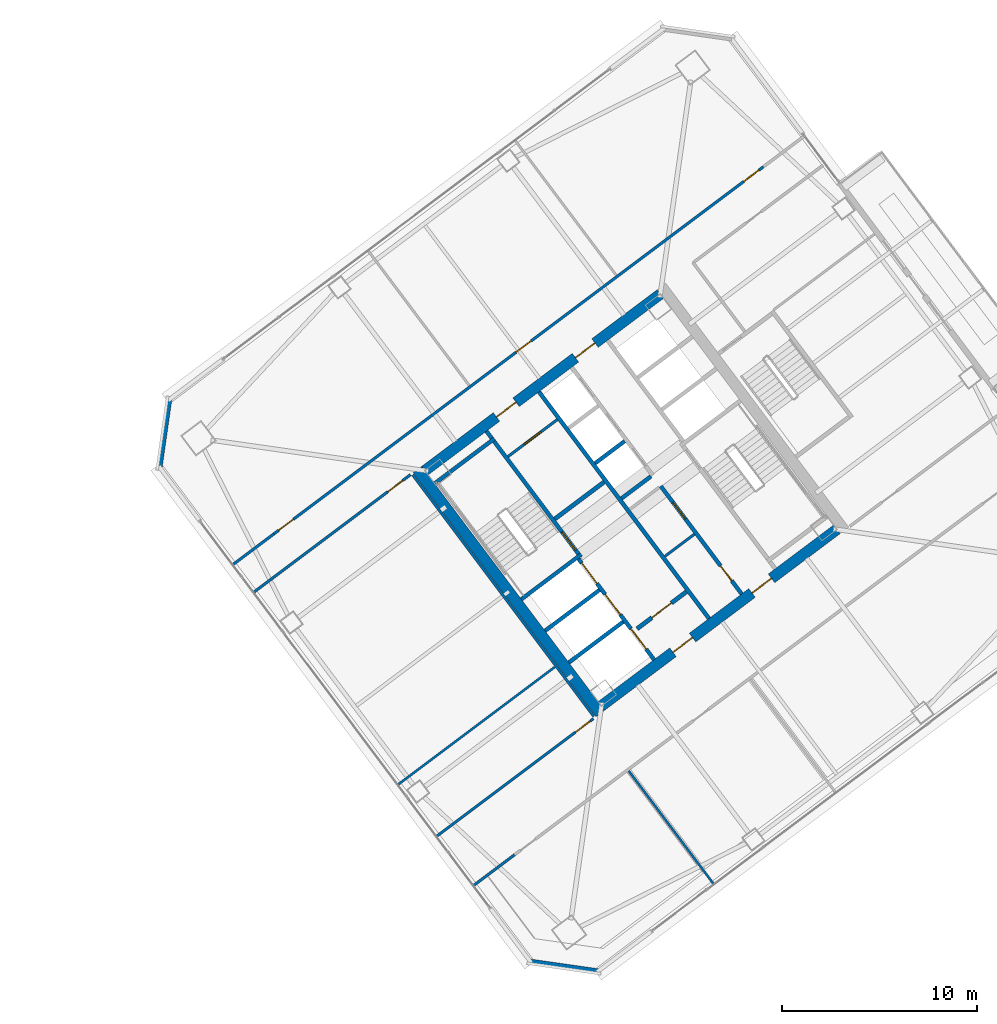
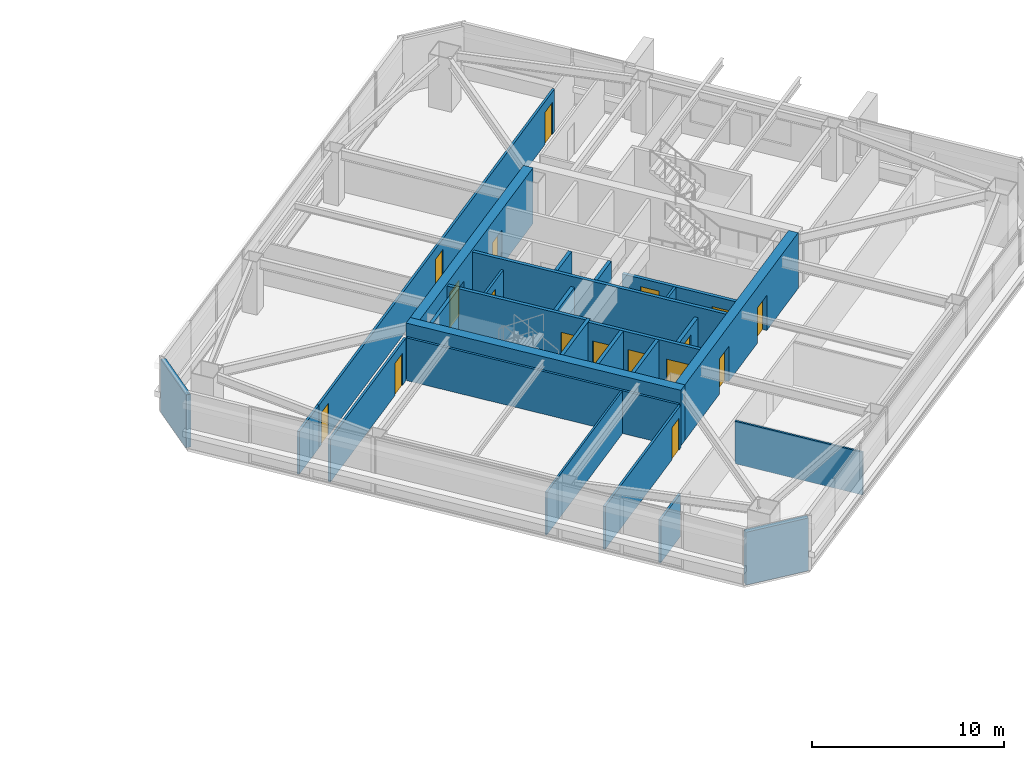
# One storey, part 36 of 44: 27 walls, 17 doors, 17 openings.
"""IFC4 building model written with IfcOpenShell, lengths in metres."""

from ifc_helpers import new_model, si_unit, direction, frame, frame_2d, origin, place, context, subcontext, project, spatial, rectangle, extrude, material, layer, layer_set, type_object, element, fill, save


model = new_model("IFC4")

# Units and contexts
model_context = context("Model", 3, precision=1e-05, world=origin(), true_north=direction((0.0, 1.0)))
body_context = subcontext(model_context, "Body", "Model", "MODEL_VIEW")
ifc_project = project(units=[si_unit("LENGTHUNIT", "METRE"), si_unit("AREAUNIT", "SQUARE_METRE"), si_unit("VOLUMEUNIT", "CUBIC_METRE"), si_unit("PLANEANGLEUNIT", "RADIAN"), si_unit("MASSUNIT", "GRAM", prefix="KILO")], contexts=[model_context])

# Site, building, storey
site_placement = place(None, origin())
site = spatial("IfcSite", under=ifc_project, at=site_placement, CompositionType="ELEMENT")
building_placement = place(site_placement, origin())
building = spatial("IfcBuilding", under=site, at=building_placement, Name="Tashvorn Skyway Center", CompositionType="ELEMENT")
storey_placement = place(building_placement, frame((0.0, 0.0, 149.89990234375)))
storey = spatial("IfcBuildingStorey", under=building, at=storey_placement, Name="L40", CompositionType="ELEMENT", Elevation=149.89990234375)

# Wall
ifc_material_1 = material(Name="Concrete C60/75", Category="concrete")
ifc_layer_1 = layer(ifc_material_1, 0.550048828125)
ifc_layer_set_1 = layer_set([ifc_layer_1], Name="Concrete C60/75")
wall_type_1 = type_object("IfcWallType", Name="WALL-CORE-550", PredefinedType="SHEAR", material=ifc_layer_set_1)
wall_1_placement = place(storey_placement, frame((112.43603515625, 21.076904296875, 0.0), z_axis=(0.0, 0.0, 1.0), x_axis=(-0.600005007985, 0.799996243986, 0.0)))
element("IfcWall", 1, at=wall_1_placement, inside=storey, type_object=wall_type_1, Name="Tower 2 L40 West Core Shear Wall", PredefinedType="SHEAR", context=body_context, shape_type="SweptSolid", body=[
    extrude(rectangle(XDim=15.60009765625, YDim=0.550048828125, at=frame_2d((7.800048828125, 0.0))), origin(), (0.0, 0.0, 1.0), 3.550048828125),
])

# Wall, openings, doors
wall_2_placement = place(storey_placement, frame((124.5390625, 30.498046875, 0.0), z_axis=(0.0, 0.0, 1.0), x_axis=(-0.799998054672, -0.600002593761, 0.0)))
wall_2 = element("IfcWall", 2, at=wall_2_placement, inside=storey, type_object=wall_type_1, Name="Tower 2 L40 South Core Shear Wall", PredefinedType="SHEAR", context=body_context, shape_type="SweptSolid", body=[
    extrude(rectangle(XDim=15.06005859375, YDim=0.550048828125, at=frame_2d((7.530029296875, 0.0))), origin(), (0.0, 0.0, 1.0), 3.550048828125),
])
opening_1_placement = place(wall_2_placement, frame((9.22998046875, 0.0, 0.0)))
opening_1 = element("IfcOpeningElement", 3, at=opening_1_placement, cuts=wall_2, Name="Opening D-FFL-1250", PredefinedType="OPENING", context=body_context, shape_type="SweptSolid", body=[
    extrude(rectangle(XDim=1.25, YDim=2.25, at=frame_2d((0.625, 1.125))), frame((0.0, 0.284912109375, 0.0), z_axis=(0.0, -1.0, 0.0), x_axis=(1.0, 0.0, 0.0)), (0.0, 0.0, 1.0), 0.570068359375),
])
opening_2_placement = place(wall_2_placement, frame((4.179931640625, 0.0, 0.0)))
opening_2 = element("IfcOpeningElement", 4, at=opening_2_placement, cuts=wall_2, Name="Opening D-FFL-1250", PredefinedType="OPENING", context=body_context, shape_type="SweptSolid", body=[
    extrude(rectangle(XDim=1.25, YDim=2.25, at=frame_2d((0.625, 1.125))), frame((0.0, 0.284912109375, 0.0), z_axis=(0.0, -1.0, 0.0), x_axis=(1.0, 0.0, 0.0)), (0.0, 0.0, 1.0), 0.570068359375),
])
ifc_material_2 = material(Name="Hollow galvanized steel fire door assembly", Category="steel")
door_type_1 = type_object("IfcDoorType", Name="DOOR-FFL-1250", OperationType="NOTDEFINED", PredefinedType="DOOR", material=ifc_material_2)
door_1_placement = place(opening_1_placement, origin())
door_1 = element("IfcDoor", 5, at=door_1_placement, inside=storey, type_object=door_type_1, Name="Tower 2 L40 Core South Firefighting Exit Door", OperationType="SINGLE_SWING_LEFT", OverallHeight=2.25, OverallWidth=1.25, PredefinedType="DOOR", context=body_context, shape_type="SweptSolid", body=[
    extrude(rectangle(XDim=1.25, YDim=2.25, at=frame_2d((0.625, 1.125))), frame((0.0, 0.02490234375, 0.0), z_axis=(0.0, -1.0, 0.0), x_axis=(1.0, 0.0, 0.0)), (0.0, 0.0, 1.0), 0.050048828125),
])
fill(opening_1, door_1)
door_2_placement = place(opening_2_placement, origin())
door_2 = element("IfcDoor", 6, at=door_2_placement, inside=storey, type_object=door_type_1, Name="Tower 2 L40 Core South Lift Lobby Door", OperationType="SINGLE_SWING_RIGHT", OverallHeight=2.25, OverallWidth=1.25, PredefinedType="DOOR", context=body_context, shape_type="SweptSolid", body=[
    extrude(rectangle(XDim=1.25, YDim=2.25, at=frame_2d((0.625, 1.125))), frame((0.0, 0.02490234375, 0.0), z_axis=(0.0, -1.0, 0.0), x_axis=(1.0, 0.0, 0.0)), (0.0, 0.0, 1.0), 0.050048828125),
])
fill(opening_2, door_2)

wall_3_placement = place(storey_placement, frame((103.4609375, 33.501953125, 0.0), z_axis=(0.0, 0.0, 1.0), x_axis=(0.799998054672, 0.600002593761, 0.0)))
wall_3 = element("IfcWall", 7, at=wall_3_placement, inside=storey, type_object=wall_type_1, Name="Tower 2 L40 North Core Shear Wall", PredefinedType="SHEAR", context=body_context, shape_type="SweptSolid", body=[
    extrude(rectangle(XDim=15.06005859375, YDim=0.550048828125, at=frame_2d((7.530029296875, 0.0))), origin(), (0.0, 0.0, 1.0), 3.550048828125),
])
opening_3_placement = place(wall_3_placement, frame((4.580078125, 0.0, 0.0)))
opening_3 = element("IfcOpeningElement", 8, at=opening_3_placement, cuts=wall_3, Name="Opening D-FFL-1250", PredefinedType="OPENING", context=body_context, shape_type="SweptSolid", body=[
    extrude(rectangle(XDim=1.25, YDim=2.25, at=frame_2d((0.625, 1.125))), frame((0.0, 0.284912109375, 0.0), z_axis=(0.0, -1.0, 0.0), x_axis=(1.0, 0.0, 0.0)), (0.0, 0.0, 1.0), 0.570068359375),
])
opening_4_placement = place(wall_3_placement, frame((9.6298828125, 0.0, 0.0)))
opening_4 = element("IfcOpeningElement", 9, at=opening_4_placement, cuts=wall_3, Name="Opening D-FFL-1250", PredefinedType="OPENING", context=body_context, shape_type="SweptSolid", body=[
    extrude(rectangle(XDim=1.25, YDim=2.25, at=frame_2d((0.625, 1.125))), frame((0.0, 0.284912109375, 0.0), z_axis=(0.0, -1.0, 0.0), x_axis=(1.0, 0.0, 0.0)), (0.0, 0.0, 1.0), 0.570068359375),
])
door_3_placement = place(opening_3_placement, origin())
door_3 = element("IfcDoor", 10, at=door_3_placement, inside=storey, type_object=door_type_1, Name="Tower 2 L40 Core North Service Lobby Door", OperationType="SINGLE_SWING_LEFT", OverallHeight=2.25, OverallWidth=1.25, PredefinedType="DOOR", context=body_context, shape_type="SweptSolid", body=[
    extrude(rectangle(XDim=1.25, YDim=2.25, at=frame_2d((0.625, 1.125))), frame((0.0, 0.02490234375, 0.0), z_axis=(0.0, -1.0, 0.0), x_axis=(1.0, 0.0, 0.0)), (0.0, 0.0, 1.0), 0.050048828125),
])
fill(opening_3, door_3)
door_4_placement = place(opening_4_placement, origin())
door_4 = element("IfcDoor", 11, at=door_4_placement, inside=storey, type_object=door_type_1, Name="Tower 2 L40 Core North Lift Lobby Door", OperationType="SINGLE_SWING_RIGHT", OverallHeight=2.25, OverallWidth=1.25, PredefinedType="DOOR", context=body_context, shape_type="SweptSolid", body=[
    extrude(rectangle(XDim=1.25, YDim=2.25, at=frame_2d((0.625, 1.125))), frame((0.0, 0.02490234375, 0.0), z_axis=(0.0, -1.0, 0.0), x_axis=(1.0, 0.0, 0.0)), (0.0, 0.0, 1.0), 0.050048828125),
])
fill(opening_4, door_4)

# Walls
ifc_material_3 = material(Name="Precast concrete C40/50", Category="concrete")
ifc_layer_2 = layer(ifc_material_3, 0.280029296875)
ifc_layer_set_2 = layer_set([ifc_layer_2], Name="Precast concrete C40/50")
wall_type_2 = type_object("IfcWallType", Name="WALL-EXT-280", PredefinedType="SOLIDWALL", material=ifc_layer_set_2)
for number, where, z_axis, x_axis, name in (
    (12, (112.340087890625, 7.8798828125, 0.0), (0.0, 0.0, 1.0), (-0.989949493661, 0.141421356237, 0.0), "Tower 2 L40 SW Precast Chamfer Wall"),
    (13, (89.8798828125, 33.659912109375, 0.0), (0.0, 0.0, 1.0), (0.141421356237, 0.989949493661, 0.0), "Tower 2 L40 NW Precast Chamfer Wall"),
):
    element("IfcWall", number, at=place(storey_placement, frame(where, z_axis=z_axis, x_axis=x_axis)), inside=storey, type_object=wall_type_2, Name=name, PredefinedType="SOLIDWALL", context=body_context, shape_type="SweptSolid", body=[
        extrude(rectangle(XDim=3.53564453125, YDim=0.280029296875, at=frame_2d((1.767822265625, 0.0))), origin(), (0.0, 0.0, 1.0), 3.3701171875),
    ])
ifc_material_4 = material(Name="Concrete C40/50", Category="concrete")
ifc_layer_3 = layer(ifc_material_4, 0.219970703125)
ifc_layer_set_3 = layer_set([ifc_layer_3], Name="Concrete C40/50")
wall_type_3 = type_object("IfcWallType", Name="WALL-FFL-220", PredefinedType="SOLIDWALL", material=ifc_layer_set_3)
wall_4_placement = place(storey_placement, frame((110.10400390625, 31.028076171875, 0.0), z_axis=(0.0, 0.0, 1.0), x_axis=(0.800018601094, 0.59997519774, 0.0)))
element("IfcWall", 14, at=wall_4_placement, inside=storey, type_object=wall_type_3, Name="Tower 2 L40 Firefighting Lobby North Wall", PredefinedType="SOLIDWALL", context=body_context, shape_type="SweptSolid", body=[
    extrude(rectangle(XDim=3.14990234375, YDim=0.219970703125, at=frame_2d((1.574951171875, 0.0))), origin(), (0.0, 0.0, 1.0), 2.72314453125),
])

# Wall, opening, door
wall_5_placement = place(storey_placement, frame((114.31591796875, 25.412109375, 0.0), z_axis=(0.0, 0.0, 1.0), x_axis=(0.800018601094, 0.59997519774, 0.0)))
wall_5 = element("IfcWall", 15, at=wall_5_placement, inside=storey, type_object=wall_type_3, Name="Tower 2 L40 Firefighting Lobby South Wall", PredefinedType="SOLIDWALL", context=body_context, shape_type="SweptSolid", body=[
    extrude(rectangle(XDim=3.14990234375, YDim=0.219970703125, at=frame_2d((1.574951171875, 0.0))), origin(), (0.0, 0.0, 1.0), 2.72314453125),
])
opening_5_placement = place(wall_5_placement, frame((0.949951171875, 0.0, 0.0)))
opening_5 = element("IfcOpeningElement", 16, at=opening_5_placement, cuts=wall_5, Name="Opening D-FFL-1250", PredefinedType="OPENING", context=body_context, shape_type="SweptSolid", body=[
    extrude(rectangle(XDim=1.25, YDim=2.25, at=frame_2d((0.625, 1.125))), frame((0.0, 0.119873046875, 0.0), z_axis=(0.0, -1.0, 0.0), x_axis=(1.0, 0.0, 0.0)), (0.0, 0.0, 1.0), 0.239990234375),
])
door_5_placement = place(opening_5_placement, origin())
door_5 = element("IfcDoor", 17, at=door_5_placement, inside=storey, type_object=door_type_1, Name="Tower 2 L40 Firefighting Lobby Egress Door", OperationType="SINGLE_SWING_LEFT", OverallHeight=2.25, OverallWidth=1.25, PredefinedType="DOOR", context=body_context, shape_type="SweptSolid", body=[
    extrude(rectangle(XDim=1.25, YDim=2.25, at=frame_2d((0.625, 1.125))), frame((0.0, 0.02490234375, 0.0), z_axis=(0.0, -1.0, 0.0), x_axis=(1.0, 0.0, 0.0)), (0.0, 0.0, 1.0), 0.050048828125),
])
fill(opening_5, door_5)

# Walls
ifc_material_5 = material(Name="Gypsum board on cold-formed steel stud framing", Category="steel")
ifc_layer_4 = layer(ifc_material_5, 0.110107421875)
ifc_layer_set_4 = layer_set([ifc_layer_4], Name="Gypsum board on cold-formed steel stud framing")
wall_type_4 = type_object("IfcWallType", Name="WALL-PART-110", PredefinedType="PARTITIONING", material=ifc_layer_set_4)
wall_6_placement = place(storey_placement, frame((118.248046875, 12.3359375, 0.0), z_axis=(0.0, 0.0, 1.0), x_axis=(-0.600005387845, 0.799995959088, 0.0)))
element("IfcWall", 18, at=wall_6_placement, inside=storey, type_object=wall_type_4, Name="Tower 2 L40 South Suite Partition 1", PredefinedType="PARTITIONING", context=body_context, shape_type="SweptSolid", body=[
    extrude(rectangle(XDim=7.25, YDim=0.110107421875, at=frame_2d((3.625, 0.0))), origin(), (0.0, 0.0, 1.0), 2.72314453125),
])
wall_7_placement = place(storey_placement, frame((102.075927734375, 17.431884765625, 0.0), z_axis=(0.0, 0.0, 1.0), x_axis=(0.799991245945, 0.600011671896, 0.0)))
element("IfcWall", 19, at=wall_7_placement, inside=storey, type_object=wall_type_4, Name="Tower 2 L40 West Mid Partition", PredefinedType="PARTITIONING", context=body_context, shape_type="SweptSolid", body=[
    extrude(rectangle(XDim=10.0400390625, YDim=0.110107421875, at=frame_2d((5.02001953125, 0.0))), origin(), (0.0, 0.0, 1.0), 2.72314453125),
])

# Wall, openings, doors
ifc_layer_5 = layer(ifc_material_5, 0.135009765625)
ifc_layer_set_5 = layer_set([ifc_layer_5], Name="Gypsum board on cold-formed steel stud framing")
wall_type_5 = type_object("IfcWallType", Name="WALL-PART-135", PredefinedType="PARTITIONING", material=ifc_layer_set_5)
wall_8_placement = place(storey_placement, frame((95.738037109375, 30.26611328125, 0.0), z_axis=(0.0, 0.0, 1.0), x_axis=(0.800003744006, 0.59999500796, 0.0)))
wall_8 = element("IfcWall", 20, at=wall_8_placement, inside=storey, type_object=wall_type_5, Name="Tower 2 L40 North Suite Wall", PredefinedType="PARTITIONING", context=body_context, shape_type="SweptSolid", body=[
    extrude(rectangle(XDim=31.2998046875, YDim=0.135009765625, at=frame_2d((15.64990234375, 0.0))), origin(), (0.0, 0.0, 1.0), 2.72314453125),
])
opening_6_placement = place(wall_8_placement, frame((0.300048828125, 0.0, 0.0)))
opening_6 = element("IfcOpeningElement", 21, at=opening_6_placement, cuts=wall_8, Name="Opening D-INT-950", PredefinedType="OPENING", context=body_context, shape_type="SweptSolid", body=[
    extrude(rectangle(XDim=0.949951171875, YDim=2.050048828125, at=frame_2d((0.47509765625, 1.02490234375))), frame((0.0, 0.077392578125, 0.0), z_axis=(0.0, -1.0, 0.0), x_axis=(1.0, 0.0, 0.0)), (0.0, 0.0, 1.0), 0.155029296875),
])
opening_7_placement = place(wall_8_placement, frame((15.493408203125, 0.0, 0.0)))
opening_7 = element("IfcOpeningElement", 22, at=opening_7_placement, cuts=wall_8, Name="Opening D-INT-950", PredefinedType="OPENING", context=body_context, shape_type="SweptSolid", body=[
    extrude(rectangle(XDim=0.949951171875, YDim=2.050048828125, at=frame_2d((0.47509765625, 1.02490234375))), frame((0.0, 0.077392578125, 0.0), z_axis=(0.0, -1.0, 0.0), x_axis=(1.0, 0.0, 0.0)), (0.0, 0.0, 1.0), 0.155029296875),
])
opening_8_placement = place(wall_8_placement, frame((30.050048828125, 0.0, 0.0)))
opening_8 = element("IfcOpeningElement", 23, at=opening_8_placement, cuts=wall_8, Name="Opening D-INT-950", PredefinedType="OPENING", context=body_context, shape_type="SweptSolid", body=[
    extrude(rectangle(XDim=0.949951171875, YDim=2.050048828125, at=frame_2d((0.47509765625, 1.02490234375))), frame((0.0, 0.077392578125, 0.0), z_axis=(0.0, -1.0, 0.0), x_axis=(1.0, 0.0, 0.0)), (0.0, 0.0, 1.0), 0.155029296875),
])
ifc_material_6 = material(Name="Solid-core architectural oak veneer door")
door_type_2 = type_object("IfcDoorType", Name="DOOR-INT-950", OperationType="NOTDEFINED", PredefinedType="DOOR", material=ifc_material_6)
door_6_placement = place(opening_6_placement, origin())
door_6 = element("IfcDoor", 24, at=door_6_placement, inside=storey, type_object=door_type_2, Name="Tower 2 L40 Operations Control Room Door", OperationType="SINGLE_SWING_RIGHT", OverallHeight=2.050048828125, OverallWidth=0.949951171875, PredefinedType="DOOR", context=body_context, shape_type="SweptSolid", body=[
    extrude(rectangle(XDim=0.949951171875, YDim=2.050048828125, at=frame_2d((0.47509765625, 1.02490234375))), frame((0.0, 0.02490234375, 0.0), z_axis=(0.0, -1.0, 0.0), x_axis=(1.0, 0.0, 0.0)), (0.0, 0.0, 1.0), 0.050048828125),
])
fill(opening_6, door_6)
door_7_placement = place(opening_7_placement, origin())
door_7 = element("IfcDoor", 25, at=door_7_placement, inside=storey, type_object=door_type_2, Name="Tower 2 L40 Operations Control Room Door", OperationType="SINGLE_SWING_LEFT", OverallHeight=2.050048828125, OverallWidth=0.949951171875, PredefinedType="DOOR", context=body_context, shape_type="SweptSolid", body=[
    extrude(rectangle(XDim=0.949951171875, YDim=2.050048828125, at=frame_2d((0.47509765625, 1.02490234375))), frame((0.0, 0.02490234375, 0.0), z_axis=(0.0, -1.0, 0.0), x_axis=(1.0, 0.0, 0.0)), (0.0, 0.0, 1.0), 0.050048828125),
])
fill(opening_7, door_7)
door_8_placement = place(opening_8_placement, origin())
door_8 = element("IfcDoor", 26, at=door_8_placement, inside=storey, type_object=door_type_2, Name="Tower 2 L40 Corporate Office Door", OperationType="SINGLE_SWING_RIGHT", OverallHeight=2.050048828125, OverallWidth=0.949951171875, PredefinedType="DOOR", context=body_context, shape_type="SweptSolid", body=[
    extrude(rectangle(XDim=0.949951171875, YDim=2.050048828125, at=frame_2d((0.47509765625, 1.02490234375))), frame((0.0, 0.02490234375, 0.0), z_axis=(0.0, -1.0, 0.0), x_axis=(1.0, 0.0, 0.0)), (0.0, 0.0, 1.0), 0.050048828125),
])
fill(opening_8, door_8)

# Walls
for number, where, z_axis, x_axis, name in (
    (27, (93.634033203125, 28.68798828125, 0.0), (0.0, 0.0, 1.0), (0.799977721118, 0.600029704027, 0.0), "Tower 2 L40 North-West Suite South Wall"),
    (28, (105.946044921875, 12.27197265625, 0.0), (0.0, 0.0, 1.0), (0.799977721118, 0.600029704027, 0.0), "Tower 2 L40 South-West Suite North Wall"),
):
    element("IfcWall", number, at=place(storey_placement, frame(where, z_axis=z_axis, x_axis=x_axis)), inside=storey, type_object=wall_type_5, Name=name, PredefinedType="PARTITIONING", context=body_context, shape_type="SweptSolid", body=[
        extrude(rectangle(XDim=2.630126953125, YDim=0.135009765625, at=frame_2d((1.31494140625, 0.0))), origin(), (0.0, 0.0, 1.0), 2.72314453125),
    ])
wall_9_placement = place(storey_placement, frame((112.10400390625, 20.927978515625, 0.0), z_axis=(0.0, 0.0, 1.0), x_axis=(-0.599994940075, 0.800003794918, 0.0)))
element("IfcWall", 29, at=wall_9_placement, inside=storey, type_object=wall_type_5, Name="Tower 2 L40 West Inner Suite Wall", PredefinedType="PARTITIONING", context=body_context, shape_type="SweptSolid", body=[
    extrude(rectangle(XDim=15.43994140625, YDim=0.135009765625, at=frame_2d((7.719970703125, 0.0))), origin(), (0.0, 0.0, 1.0), 2.72314453125),
])

# Wall, opening, door
wall_10_placement = place(storey_placement, frame((102.72802734375, 33.2958984375, 0.0), z_axis=(0.0, 0.0, 1.0), x_axis=(-0.800002918023, -0.599996109283, 0.0)))
wall_10 = element("IfcWall", 30, at=wall_10_placement, inside=storey, type_object=wall_type_5, Name="Tower 2 L40 West Suite North Wall", PredefinedType="PARTITIONING", context=body_context, shape_type="SweptSolid", body=[
    extrude(rectangle(XDim=10.0400390625, YDim=0.135009765625, at=frame_2d((5.02001953125, 0.0))), origin(), (0.0, 0.0, 1.0), 2.72314453125),
])
opening_9_placement = place(wall_10_placement, frame((0.5, 0.0, 0.0)))
opening_9 = element("IfcOpeningElement", 31, at=opening_9_placement, cuts=wall_10, Name="Opening D-INT-950", PredefinedType="OPENING", context=body_context, shape_type="SweptSolid", body=[
    extrude(rectangle(XDim=0.949951171875, YDim=2.050048828125, at=frame_2d((0.47509765625, 1.02490234375))), frame((0.0, 0.077392578125, 0.0), z_axis=(0.0, -1.0, 0.0), x_axis=(1.0, 0.0, 0.0)), (0.0, 0.0, 1.0), 0.155029296875),
])
door_9_placement = place(opening_9_placement, origin())
door_9 = element("IfcDoor", 32, at=door_9_placement, inside=storey, type_object=door_type_2, Name="Tower 2 L40 Boardroom Door", OperationType="SINGLE_SWING_RIGHT", OverallHeight=2.050048828125, OverallWidth=0.949951171875, PredefinedType="DOOR", context=body_context, shape_type="SweptSolid", body=[
    extrude(rectangle(XDim=0.949951171875, YDim=2.050048828125, at=frame_2d((0.47509765625, 1.02490234375))), frame((0.0, 0.02490234375, 0.0), z_axis=(0.0, -1.0, 0.0), x_axis=(1.0, 0.0, 0.0)), (0.0, 0.0, 1.0), 0.050048828125),
])
fill(opening_9, door_9)

wall_11_placement = place(storey_placement, frame((104.055908203125, 14.7919921875, 0.0), z_axis=(0.0, 0.0, 1.0), x_axis=(0.800002918023, 0.599996109283, 0.0)))
wall_11 = element("IfcWall", 33, at=wall_11_placement, inside=storey, type_object=wall_type_5, Name="Tower 2 L40 West Suite South Wall", PredefinedType="PARTITIONING", context=body_context, shape_type="SweptSolid", body=[
    extrude(rectangle(XDim=10.0400390625, YDim=0.135009765625, at=frame_2d((5.02001953125, 0.0))), origin(), (0.0, 0.0, 1.0), 2.72314453125),
])
opening_10_placement = place(wall_11_placement, frame((8.8798828125, 0.0, 0.0)))
opening_10 = element("IfcOpeningElement", 34, at=opening_10_placement, cuts=wall_11, Name="Opening D-INT-950", PredefinedType="OPENING", context=body_context, shape_type="SweptSolid", body=[
    extrude(rectangle(XDim=0.949951171875, YDim=2.050048828125, at=frame_2d((0.47509765625, 1.02490234375))), frame((0.0, 0.077392578125, 0.0), z_axis=(0.0, -1.0, 0.0), x_axis=(1.0, 0.0, 0.0)), (0.0, 0.0, 1.0), 0.155029296875),
])
door_10_placement = place(opening_10_placement, origin())
door_10 = element("IfcDoor", 35, at=door_10_placement, inside=storey, type_object=door_type_2, Name="Tower 2 L40 Public Restroom Door", OperationType="SINGLE_SWING_LEFT", OverallHeight=2.050048828125, OverallWidth=0.949951171875, PredefinedType="DOOR", context=body_context, shape_type="SweptSolid", body=[
    extrude(rectangle(XDim=0.949951171875, YDim=2.050048828125, at=frame_2d((0.47509765625, 1.02490234375))), frame((0.0, 0.02490234375, 0.0), z_axis=(0.0, -1.0, 0.0), x_axis=(1.0, 0.0, 0.0)), (0.0, 0.0, 1.0), 0.050048828125),
])
fill(opening_10, door_10)

ifc_layer_6 = layer(ifc_material_5, 0.135009765625)
ifc_layer_set_6 = layer_set([ifc_layer_6], Name="Gypsum board on cold-formed steel stud framing")
wall_type_6 = type_object("IfcWallType", Name="WALL-RATED-135", PredefinedType="PARTITIONING", material=ifc_layer_set_6)
wall_12_placement = place(storey_placement, frame((107.7099609375, 34.219970703125, 0.0), z_axis=(0.0, 0.0, 1.0), x_axis=(0.799981399002, 0.60002480053, 0.0)))
wall_12 = element("IfcWall", 36, at=wall_12_placement, inside=storey, type_object=wall_type_6, Name="Tower 2 L40 Core Service Lobby Wall", PredefinedType="PARTITIONING", context=body_context, shape_type="SweptSolid", body=[
    extrude(rectangle(XDim=3.150146484375, YDim=0.135009765625, at=frame_2d((1.5751953125, 0.0))), origin(), (0.0, 0.0, 1.0), 2.72314453125),
])
opening_11_placement = place(wall_12_placement, frame((1.050048828125, 0.0, 0.0)))
opening_11 = element("IfcOpeningElement", 37, at=opening_11_placement, cuts=wall_12, Name="Opening D-RT-1050", PredefinedType="OPENING", context=body_context, shape_type="SweptSolid", body=[
    extrude(rectangle(XDim=1.050048828125, YDim=2.199951171875, at=frame_2d((0.52490234375, 1.10009765625))), frame((0.0, 0.077392578125, 0.0), z_axis=(0.0, -1.0, 0.0), x_axis=(1.0, 0.0, 0.0)), (0.0, 0.0, 1.0), 0.155029296875),
])
door_type_3 = type_object("IfcDoorType", Name="DOOR-RATED-1050", OperationType="NOTDEFINED", PredefinedType="DOOR", material=ifc_material_2)
door_11_placement = place(opening_11_placement, origin())
door_11 = element("IfcDoor", 38, at=door_11_placement, inside=storey, type_object=door_type_3, Name="Tower 2 L40 Core Accessible WC Door", OperationType="SINGLE_SWING_LEFT", OverallHeight=2.199951171875, OverallWidth=1.050048828125, PredefinedType="DOOR", context=body_context, shape_type="SweptSolid", body=[
    extrude(rectangle(XDim=1.050048828125, YDim=2.199951171875, at=frame_2d((0.52490234375, 1.10009765625))), frame((0.0, 0.02490234375, 0.0), z_axis=(0.0, -1.0, 0.0), x_axis=(1.0, 0.0, 0.0)), (0.0, 0.0, 1.0), 0.050048828125),
])
fill(opening_11, door_11)

# Walls
wall_13_placement = place(storey_placement, frame((115.74609375, 29.1220703125, 0.0), z_axis=(0.0, 0.0, 1.0), x_axis=(0.8, 0.6, 0.0)))
element("IfcWall", 39, at=wall_13_placement, inside=storey, type_object=wall_type_6, Name="Tower 2 L40 Freed Core Partition", PredefinedType="PARTITIONING", context=body_context, shape_type="SweptSolid", body=[
    extrude(rectangle(XDim=1.8798828125, YDim=0.135009765625, at=frame_2d((0.93994140625, 0.0))), origin(), (0.0, 0.0, 1.0), 2.72314453125),
])
ifc_layer_7 = layer(ifc_material_4, 0.199951171875)
ifc_layer_set_7 = layer_set([ifc_layer_7], Name="Concrete C40/50")
wall_type_7 = type_object("IfcWallType", Name="WALL-SHAFT-200", PredefinedType="SOLIDWALL", material=ifc_layer_set_7)
for number, where, z_axis, x_axis, name in (
    (40, (110.825927734375, 23.681884765625, 0.0), (0.0, 0.0, 1.0), (0.8, 0.6, 0.0), "Tower 2 L40 FSAE Shaft Divider"),
    (41, (109.60791015625, 25.305908203125, 0.0), (0.0, 0.0, 1.0), (0.8, 0.6, 0.0), "Tower 2 L40 FSAE Shaft Divider"),
):
    element("IfcWall", number, at=place(storey_placement, frame(where, z_axis=z_axis, x_axis=x_axis)), inside=storey, type_object=wall_type_7, Name=name, PredefinedType="SOLIDWALL", context=body_context, shape_type="SweptSolid", body=[
        extrude(rectangle(XDim=3.480224609375, YDim=0.199951171875, at=frame_2d((1.740234375, 0.0))), origin(), (0.0, 0.0, 1.0), 3.3701171875),
    ])

# Wall, openings, doors
wall_14_placement = place(storey_placement, frame((119.669921875, 27.18994140625, 0.0), z_axis=(0.0, 0.0, 1.0), x_axis=(-0.599988677396, 0.800008491828, 0.0)))
wall_14 = element("IfcWall", 42, at=wall_14_placement, inside=storey, type_object=wall_type_7, Name="Tower 2 L40 Low-Rise Core Wall", PredefinedType="SOLIDWALL", context=body_context, shape_type="SweptSolid", body=[
    extrude(rectangle(XDim=6.89990234375, YDim=0.199951171875, at=frame_2d((3.449951171875, 0.0))), origin(), (0.0, 0.0, 1.0), 2.72314453125),
])
opening_12_placement = place(wall_14_placement, frame((0.85009765625, 0.0, 0.0)))
opening_12 = element("IfcOpeningElement", 43, at=opening_12_placement, cuts=wall_14, Name="Opening D-RT-950", PredefinedType="OPENING", context=body_context, shape_type="SweptSolid", body=[
    extrude(rectangle(XDim=0.949951171875, YDim=2.050048828125, at=frame_2d((0.47509765625, 1.02490234375))), frame((0.0, 0.10986328125, 0.0), z_axis=(0.0, -1.0, 0.0), x_axis=(1.0, 0.0, 0.0)), (0.0, 0.0, 1.0), 0.219970703125),
])
opening_13_placement = place(wall_14_placement, frame((4.800048828125, 0.0, 0.0)))
opening_13 = element("IfcOpeningElement", 44, at=opening_13_placement, cuts=wall_14, Name="Opening D-RT-1050", PredefinedType="OPENING", context=body_context, shape_type="SweptSolid", body=[
    extrude(rectangle(XDim=1.050048828125, YDim=2.199951171875, at=frame_2d((0.52490234375, 1.10009765625))), frame((0.0, 0.10986328125, 0.0), z_axis=(0.0, -1.0, 0.0), x_axis=(1.0, 0.0, 0.0)), (0.0, 0.0, 1.0), 0.219970703125),
])
door_12_placement = place(opening_13_placement, origin())
door_12 = element("IfcDoor", 45, at=door_12_placement, inside=storey, type_object=door_type_3, Name="Tower 2 L40 Freed Core Room Door", OperationType="SINGLE_SWING_RIGHT", OverallHeight=2.199951171875, OverallWidth=1.050048828125, PredefinedType="DOOR", context=body_context, shape_type="SweptSolid", body=[
    extrude(rectangle(XDim=1.050048828125, YDim=2.199951171875, at=frame_2d((0.52490234375, 1.10009765625))), frame((0.0, 0.02490234375, 0.0), z_axis=(0.0, -1.0, 0.0), x_axis=(1.0, 0.0, 0.0)), (0.0, 0.0, 1.0), 0.050048828125),
])
fill(opening_13, door_12)
door_type_4 = type_object("IfcDoorType", Name="DOOR-RATED-950", OperationType="NOTDEFINED", PredefinedType="DOOR", material=ifc_material_2)
door_13_placement = place(opening_12_placement, origin())
door_13 = element("IfcDoor", 46, at=door_13_placement, inside=storey, type_object=door_type_4, Name="Tower 2 L40 Core Print Room Door", OperationType="SINGLE_SWING_LEFT", OverallHeight=2.050048828125, OverallWidth=0.949951171875, PredefinedType="DOOR", context=body_context, shape_type="SweptSolid", body=[
    extrude(rectangle(XDim=0.949951171875, YDim=2.050048828125, at=frame_2d((0.47509765625, 1.02490234375))), frame((0.0, 0.02490234375, 0.0), z_axis=(0.0, -1.0, 0.0), x_axis=(1.0, 0.0, 0.0)), (0.0, 0.0, 1.0), 0.050048828125),
])
fill(opening_12, door_13)

# Walls
wall_15_placement = place(storey_placement, frame((113.52587890625, 32.08203125, 0.0), z_axis=(0.0, 0.0, 1.0), x_axis=(0.800046745961, 0.599937666993, 0.0)))
element("IfcWall", 47, at=wall_15_placement, inside=storey, type_object=wall_type_7, Name="Tower 2 L40 Mid-Rise Shaft Divider", PredefinedType="SOLIDWALL", context=body_context, shape_type="SweptSolid", body=[
    extrude(rectangle(XDim=1.880126953125, YDim=0.199951171875, at=frame_2d((0.93994140625, 0.0))), origin(), (0.0, 0.0, 1.0), 3.3701171875),
])
wall_16_placement = place(storey_placement, frame((112.176025390625, 33.882080078125, 0.0), z_axis=(0.0, 0.0, 1.0), x_axis=(0.8, 0.6, 0.0)))
element("IfcWall", 48, at=wall_16_placement, inside=storey, type_object=wall_type_7, Name="Tower 2 L40 Mid-Rise Shaft Divider", PredefinedType="SOLIDWALL", context=body_context, shape_type="SweptSolid", body=[
    extrude(rectangle(XDim=1.8798828125, YDim=0.199951171875, at=frame_2d((0.93994140625, 0.0))), origin(), (0.0, 0.0, 1.0), 3.3701171875),
])

# Wall, opening, door
ifc_layer_8 = layer(ifc_material_4, 0.199951171875)
ifc_layer_set_8 = layer_set([ifc_layer_8], Name="Concrete C40/50")
wall_type_8 = type_object("IfcWallType", Name="WALL-STSHF-200", PredefinedType="SHEAR", material=ifc_layer_set_8)
wall_17_placement = place(storey_placement, frame((111.43994140625, 29.080078125, 0.0), z_axis=(0.0, 0.0, 1.0), x_axis=(-0.59999029481, 0.8000072788, 0.0)))
wall_17 = element("IfcWall", 49, at=wall_17_placement, inside=storey, type_object=wall_type_8, Name="Tower 2 L40 Stair 1 Enclosure Wall", PredefinedType="SHEAR", context=body_context, shape_type="SweptSolid", body=[
    extrude(rectangle(XDim=8.0498046875, YDim=0.199951171875, at=frame_2d((4.02490234375, 0.0))), origin(), (0.0, 0.0, 1.0), 3.3701171875),
])
opening_14_placement = place(wall_17_placement, frame((0.449951171875, 0.0, 0.0)))
opening_14 = element("IfcOpeningElement", 50, at=opening_14_placement, cuts=wall_17, Name="Opening D-ST-1150", PredefinedType="OPENING", context=body_context, shape_type="SweptSolid", body=[
    extrude(rectangle(XDim=1.14990234375, YDim=2.199951171875, at=frame_2d((0.574951171875, 1.10009765625))), frame((0.0, 0.10986328125, 0.0), z_axis=(0.0, -1.0, 0.0), x_axis=(1.0, 0.0, 0.0)), (0.0, 0.0, 1.0), 0.219970703125),
])
door_type_5 = type_object("IfcDoorType", Name="DOOR-STAIR-1150", OperationType="NOTDEFINED", PredefinedType="DOOR", material=ifc_material_2)
door_14_placement = place(opening_14_placement, origin())
door_14 = element("IfcDoor", 51, at=door_14_placement, inside=storey, type_object=door_type_5, Name="Tower 2 L40 Exit Stair 1 Door", OperationType="SINGLE_SWING_RIGHT", OverallHeight=2.199951171875, OverallWidth=1.14990234375, PredefinedType="DOOR", context=body_context, shape_type="SweptSolid", body=[
    extrude(rectangle(XDim=1.14990234375, YDim=2.199951171875, at=frame_2d((0.574951171875, 1.10009765625))), frame((0.0, 0.02490234375, 0.0), z_axis=(0.0, -1.0, 0.0), x_axis=(1.0, 0.0, 0.0)), (0.0, 0.0, 1.0), 0.050048828125),
])
fill(opening_14, door_14)

# Walls
for number, where, z_axis, x_axis, name in (
    (52, (108.39599609375, 26.922119140625, 0.0), (0.0, 0.0, 1.0), (0.800015298837, 0.599979601008, 0.0), "Tower 2 L40 Stair 1 South Wall"),
    (53, (103.9560546875, 32.842041015625, 0.0), (0.0, 0.0, 1.0), (0.800015298837, 0.599979601008, 0.0), "Tower 2 L40 Stair 1 North Wall"),
):
    element("IfcWall", number, at=place(storey_placement, frame(where, z_axis=z_axis, x_axis=x_axis)), inside=storey, type_object=wall_type_8, Name=name, PredefinedType="SHEAR", context=body_context, shape_type="SweptSolid", body=[
        extrude(rectangle(XDim=3.829833984375, YDim=0.199951171875, at=frame_2d((1.9150390625, 0.0))), origin(), (0.0, 0.0, 1.0), 3.3701171875),
    ])
wall_18_placement = place(storey_placement, frame((117.998046875, 25.93603515625, 0.0), z_axis=(0.0, 0.0, 1.0), x_axis=(-0.600002693989, 0.799997979501, 0.0)))
element("IfcWall", 54, at=wall_18_placement, inside=storey, type_object=wall_type_8, Name="Tower 2 L40 Firefighting Lobby East Smoke Barrier", PredefinedType="SHEAR", context=body_context, shape_type="SweptSolid", body=[
    extrude(rectangle(XDim=14.499755859375, YDim=0.199951171875, at=frame_2d((7.25, 0.0))), origin(), (0.0, 0.0, 1.0), 3.3701171875),
])

# Wall, openings, doors
wall_19_placement = place(storey_placement, frame((115.18994140625, 23.830078125, 0.0), z_axis=(0.0, 0.0, 1.0), x_axis=(-0.599993943644, 0.800004542231, 0.0)))
wall_19 = element("IfcWall", 55, at=wall_19_placement, inside=storey, type_object=wall_type_8, Name="Tower 2 L40 FSAE and Goods Shaft Front Wall", PredefinedType="SHEAR", context=body_context, shape_type="SweptSolid", body=[
    extrude(rectangle(XDim=6.449951171875, YDim=0.199951171875, at=frame_2d((3.22509765625, 0.0))), origin(), (0.0, 0.0, 1.0), 3.3701171875),
])
opening_15_placement = place(wall_19_placement, frame((4.875, 0.0, 0.0)))
opening_15 = element("IfcOpeningElement", 56, at=opening_15_placement, cuts=wall_19, Name="Opening LD-FF-T2-1-L40", PredefinedType="OPENING", context=body_context, shape_type="SweptSolid", body=[
    extrude(rectangle(XDim=1.300048828125, YDim=2.25, at=frame_2d((0.64990234375, 1.125))), frame((0.0, 0.10986328125, 0.0), z_axis=(0.0, -1.0, 0.0), x_axis=(1.0, 0.0, 0.0)), (0.0, 0.0, 1.0), 0.219970703125),
])
opening_16_placement = place(wall_19_placement, frame((2.875, 0.0, 0.0)))
opening_16 = element("IfcOpeningElement", 57, at=opening_16_placement, cuts=wall_19, Name="Opening LD-FF-T2-2-L40", PredefinedType="OPENING", context=body_context, shape_type="SweptSolid", body=[
    extrude(rectangle(XDim=1.300048828125, YDim=2.25, at=frame_2d((0.64990234375, 1.125))), frame((0.0, 0.10986328125, 0.0), z_axis=(0.0, -1.0, 0.0), x_axis=(1.0, 0.0, 0.0)), (0.0, 0.0, 1.0), 0.219970703125),
])
opening_17_placement = place(wall_19_placement, frame((0.675048828125, 0.0, 0.0)))
opening_17 = element("IfcOpeningElement", 58, at=opening_17_placement, cuts=wall_19, Name="Opening LD-GD-T2-1-L40", PredefinedType="OPENING", context=body_context, shape_type="SweptSolid", body=[
    extrude(rectangle(XDim=1.300048828125, YDim=2.25, at=frame_2d((0.64990234375, 1.125))), frame((0.0, 0.10986328125, 0.0), z_axis=(0.0, -1.0, 0.0), x_axis=(1.0, 0.0, 0.0)), (0.0, 0.0, 1.0), 0.219970703125),
])
ifc_material_7 = material(Name="Stainless steel heavy-duty landing door", Category="steel")
door_type_6 = type_object("IfcDoorType", Name="DOOR-LIFT-1300", OperationType="SLIDING_TO_LEFT", PredefinedType="DOOR", material=ifc_material_7)
door_15_placement = place(opening_15_placement, origin())
door_15 = element("IfcDoor", 59, at=door_15_placement, inside=storey, type_object=door_type_6, Name="Lift FF-T2-1 L40 Landing Door", OperationType="SLIDING_TO_LEFT", OverallHeight=2.25, OverallWidth=1.300048828125, PredefinedType="DOOR", context=body_context, shape_type="SweptSolid", body=[
    extrude(rectangle(XDim=1.300048828125, YDim=2.25, at=frame_2d((0.64990234375, 1.125))), frame((0.0, 0.02490234375, 0.0), z_axis=(0.0, -1.0, 0.0), x_axis=(1.0, 0.0, 0.0)), (0.0, 0.0, 1.0), 0.050048828125),
])
fill(opening_15, door_15)
door_16_placement = place(opening_16_placement, origin())
door_16 = element("IfcDoor", 60, at=door_16_placement, inside=storey, type_object=door_type_6, Name="Lift FF-T2-2 L40 Landing Door", OperationType="SLIDING_TO_LEFT", OverallHeight=2.25, OverallWidth=1.300048828125, PredefinedType="DOOR", context=body_context, shape_type="SweptSolid", body=[
    extrude(rectangle(XDim=1.300048828125, YDim=2.25, at=frame_2d((0.64990234375, 1.125))), frame((0.0, 0.02490234375, 0.0), z_axis=(0.0, -1.0, 0.0), x_axis=(1.0, 0.0, 0.0)), (0.0, 0.0, 1.0), 0.050048828125),
])
fill(opening_16, door_16)
door_17_placement = place(opening_17_placement, origin())
door_17 = element("IfcDoor", 61, at=door_17_placement, inside=storey, type_object=door_type_6, Name="Lift GD-T2-1 L40 Landing Door", OperationType="SLIDING_TO_LEFT", OverallHeight=2.25, OverallWidth=1.300048828125, PredefinedType="DOOR", context=body_context, shape_type="SweptSolid", body=[
    extrude(rectangle(XDim=1.300048828125, YDim=2.25, at=frame_2d((0.64990234375, 1.125))), frame((0.0, 0.02490234375, 0.0), z_axis=(0.0, -1.0, 0.0), x_axis=(1.0, 0.0, 0.0)), (0.0, 0.0, 1.0), 0.050048828125),
])
fill(opening_17, door_17)

save(model, "model.ifc")
